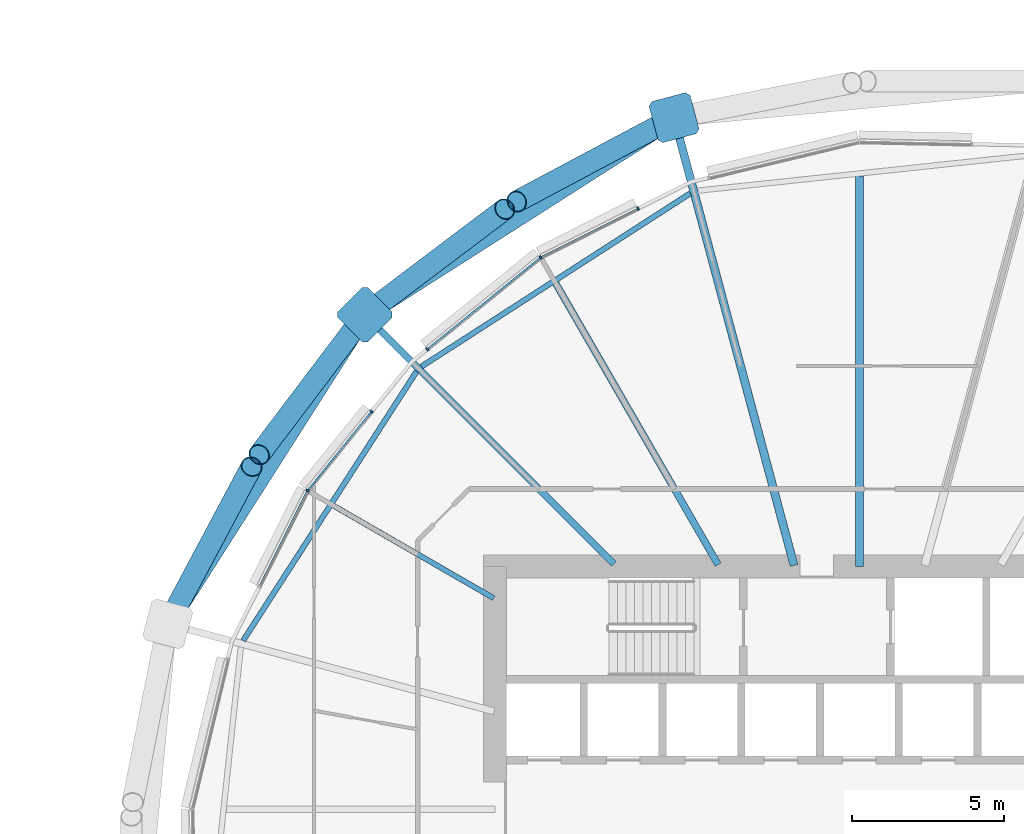
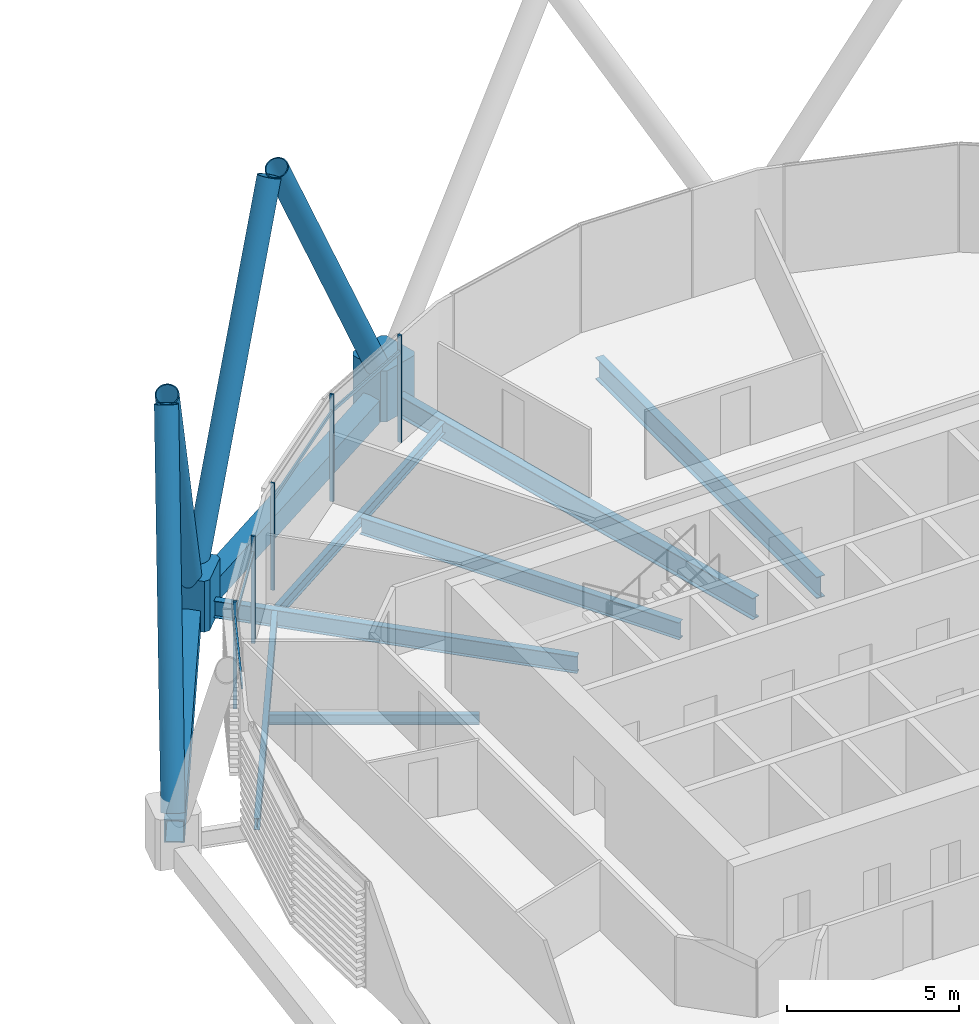
# One storey, part 19 of 38: 15 members, 9 beams, 1 element without a shape of its own.
"""IFC4 building model written with IfcOpenShell, lengths in metres."""

from ifc_helpers import new_model, si_unit, direction, frame, origin, origin_2d, place, context, subcontext, project, spatial, polyline, rectangle, hollow_rectangle, hollow_circle, i_section, outline, extrude, material, material_profile, profile_set, type_object, element, aggregate, save


model = new_model("IFC4")

# Units and contexts
model_context = context("Model", 3, precision=1e-05, world=origin(), true_north=direction((0.0, 1.0)))
body_context = subcontext(model_context, "Body", "Model", "MODEL_VIEW")
ifc_project = project(units=[si_unit("LENGTHUNIT", "METRE"), si_unit("AREAUNIT", "SQUARE_METRE"), si_unit("VOLUMEUNIT", "CUBIC_METRE"), si_unit("PLANEANGLEUNIT", "RADIAN"), si_unit("MASSUNIT", "GRAM", prefix="KILO")], contexts=[model_context])

# Site, building, storey
site_placement = place(None, origin())
site = spatial("IfcSite", under=ifc_project, at=site_placement, CompositionType="ELEMENT")
building_placement = place(site_placement, origin())
building = spatial("IfcBuilding", under=site, at=building_placement, Name="Rimbun Link Towers", CompositionType="ELEMENT")
storey_placement = place(building_placement, frame((0.0, 0.0, 104.39990234375)))
storey = spatial("IfcBuildingStorey", under=building, at=storey_placement, Name="L25", CompositionType="ELEMENT", Elevation=104.39990234375)

# Curtain wall, members
ifc_material_1 = material(Name="Aluminium 6063-T6 and low-iron glass", Category="aluminium")
curtain_wall_type = type_object("IfcCurtainWallType", Name="CW1-Z2 unitised vision wall (zone 2)", PredefinedType="NOTDEFINED", material=ifc_material_1)
curtain_wall_placement = place(storey_placement, origin())
curtain_wall = element("IfcCurtainWall", 1, at=curtain_wall_placement, inside=storey, type_object=curtain_wall_type, Name="CW1 L25 T2", PredefinedType="NOTDEFINED")
ifc_material_2 = material(Name="Aluminium 6063-T6", Category="aluminium")
ifc_material_profile_1 = material_profile(ifc_material_2, rectangle(XDim=0.1201171875, YDim=0.06005859375, at=origin_2d()), Name="MULLION 60X120")
ifc_profile_set_1 = profile_set([ifc_material_profile_1], Name="Aluminium 6063-T6")
member_type_1 = type_object("IfcMemberType", Name="CW1 mullion 60X120", PredefinedType="MULLION", material=ifc_profile_set_1)
member_1_placement = place(storey_placement, frame((21.251953125, 18.177001953125, 0.0), z_axis=(0.0, 0.0, 1.0), x_axis=(-0.542101055095, 0.840313302325, 0.0)))
member_1 = element("IfcMember", 2, at=member_1_placement, type_object=member_type_1, Name="CW1 mullion", PredefinedType="MULLION", context=body_context, shape_type="SweptSolid", body=[
    extrude(rectangle(XDim=0.1201171875, YDim=0.06005859375, at=origin_2d()), origin(), (0.0, 0.0, 1.0), 3.800048828125),
])
member_2_placement = place(storey_placement, frame((24.458251953125, 19.78759765625, 0.0), z_axis=(0.0, 0.0, 1.0), x_axis=(-0.448789312905, 0.893637595797, 0.0)))
member_2 = element("IfcMember", 3, at=member_2_placement, type_object=member_type_1, Name="CW1 mullion", PredefinedType="MULLION", context=body_context, shape_type="SweptSolid", body=[
    extrude(rectangle(XDim=0.1201171875, YDim=0.06005859375, at=origin_2d()), origin(), (0.0, 0.0, 1.0), 3.800048828125),
])
member_3_placement = place(storey_placement, frame((17.51806640625, 15.155029296875, 0.0), z_axis=(0.0, 0.0, 1.0), x_axis=(-0.629151225693, 0.777282918383, 0.0)))
member_3 = element("IfcMember", 4, at=member_3_placement, type_object=member_type_1, Name="CW1 mullion", PredefinedType="MULLION", context=body_context, shape_type="SweptSolid", body=[
    extrude(rectangle(XDim=0.1201171875, YDim=0.06005859375, at=origin_2d()), origin(), (0.0, 0.0, 1.0), 3.800048828125),
])
member_4_placement = place(storey_placement, frame((13.572998046875, 10.498046875, 0.0), z_axis=(0.0, 0.0, 1.0), x_axis=(-0.840313302325, 0.542101055095, 0.0)))
member_4 = element("IfcMember", 5, at=member_4_placement, type_object=member_type_1, Name="CW1 mullion", PredefinedType="MULLION", context=body_context, shape_type="SweptSolid", body=[
    extrude(rectangle(XDim=0.1201171875, YDim=0.06005859375, at=origin_2d()), origin(), (0.0, 0.0, 1.0), 3.800048828125),
])
member_5_placement = place(storey_placement, frame((15.682861328125, 13.104736328125, 0.0), z_axis=(0.0, 0.0, 1.0), x_axis=(-0.777282918383, 0.629151225693, 0.0)))
member_5 = element("IfcMember", 6, at=member_5_placement, type_object=member_type_1, Name="CW1 mullion", PredefinedType="MULLION", context=body_context, shape_type="SweptSolid", body=[
    extrude(rectangle(XDim=0.1201171875, YDim=0.06005859375, at=origin_2d()), origin(), (0.0, 0.0, 1.0), 3.800048828125),
])
ifc_material_3 = material(Name="Aluminium 6063-T6", Category="aluminium")
ifc_material_profile_2 = material_profile(ifc_material_3, rectangle(XDim=0.06005859375, YDim=0.1201171875, at=origin_2d()), Name="TRANSOM 60X120")
ifc_profile_set_2 = profile_set([ifc_material_profile_2], Name="Aluminium 6063-T6")
member_type_2 = type_object("IfcMemberType", Name="CW1 transom 60X120", PredefinedType="USERDEFINED", material=ifc_profile_set_2)
member_6_placement = place(storey_placement, frame((21.285400390625, 18.19189453125, 3.2001953125), z_axis=(0.893649359274, 0.448765888486, 0.0), x_axis=(-0.448765888486, 0.893649359274, 0.0)))
member_6 = element("IfcMember", 7, at=member_6_placement, type_object=member_type_2, Name="CW1 transom", ObjectType="TRANSOM", PredefinedType="USERDEFINED", context=body_context, shape_type="SweptSolid", body=[
    extrude(rectangle(XDim=0.06005859375, YDim=0.1201171875, at=origin_2d()), origin(), (0.0, 0.0, 1.0), 3.521484375),
])
member_7_placement = place(storey_placement, frame((17.542724609375, 15.17236328125, 3.2001953125), z_axis=(0.777301277358, 0.629128543477, 0.0), x_axis=(-0.629128543477, 0.777301277358, 0.0)))
member_7 = element("IfcMember", 8, at=member_7_placement, type_object=member_type_2, Name="CW1 transom", ObjectType="TRANSOM", PredefinedType="USERDEFINED", context=body_context, shape_type="SweptSolid", body=[
    extrude(rectangle(XDim=0.06005859375, YDim=0.1201171875, at=origin_2d()), origin(), (0.0, 0.0, 1.0), 4.737060546875),
])
member_8_placement = place(storey_placement, frame((13.597412109375, 10.525146484375, 3.2001953125), z_axis=(0.629131994788, 0.777298483939, 0.0), x_axis=(-0.777298483939, 0.629131994788, 0.0)))
member_8 = element("IfcMember", 9, at=member_8_placement, type_object=member_type_2, Name="CW1 transom", ObjectType="TRANSOM", PredefinedType="USERDEFINED", context=body_context, shape_type="SweptSolid", body=[
    extrude(rectangle(XDim=0.06005859375, YDim=0.1201171875, at=origin_2d()), origin(), (0.0, 0.0, 1.0), 3.287353515625),
])
member_9_placement = place(storey_placement, frame((12.000244140625, 7.3623046875, 3.2001953125), z_axis=(0.448760132623, 0.893652249686, 0.0), x_axis=(-0.893652249686, 0.448760132623, 0.0)))
member_9 = element("IfcMember", 10, at=member_9_placement, type_object=member_type_2, Name="CW1 transom", ObjectType="TRANSOM", PredefinedType="USERDEFINED", context=body_context, shape_type="SweptSolid", body=[
    extrude(rectangle(XDim=0.06005859375, YDim=0.1201171875, at=origin_2d()), origin(), (0.0, 0.0, 1.0), 3.471435546875),
])
aggregate(curtain_wall, [member_1, member_2, member_3, member_4, member_5, member_6, member_7, member_8, member_9])

# Members
ifc_material_4 = material(Name="Steel S460NH", Category="steel")
ifc_material_profile_3 = material_profile(ifc_material_4, hollow_circle(Radius=0.355712890625, WallThickness=0.031982421875, at=origin_2d()), Name="Diagrid diagonal CHS 711x32")
ifc_profile_set_3 = profile_set([ifc_material_profile_3], Name="Steel S460NH")
member_type_3 = type_object("IfcMemberType", Name="Diagrid diagonal CHS 711x32", PredefinedType="BRACE", material=ifc_profile_set_3)
member_10_placement = place(storey_placement, frame((25.43701171875, 22.67138671875, 0.44091796875), z_axis=(-0.416807853406, -0.222080658162, 0.881448463955), x_axis=(0.470230700253, -0.88254353351, 0.0)))
element("IfcMember", 11, at=member_10_placement, inside=storey, type_object=member_type_3, Name="Diagrid diagonal T2 L25-L28 04b", PredefinedType="BRACE", context=body_context, shape_type="SweptSolid", body=[
    extrude(hollow_circle(Radius=0.355712890625, WallThickness=0.031982421875, at=origin_2d()), origin(), (0.0, 0.0, 1.0), 11.933349609375),
])
for number, where, z_axis, x_axis, name in (
    (12, (15.645751953125, 16.430908203125, 0.4423828125), (0.372098215507, 0.280901699894, 0.884667820717), (-0.602506463828, 0.798114002537, 0.0), "Diagrid diagonal T2 L25-L28 06a"),
    (13, (15.319091796875, 16.104248046875, 0.4423828125), (-0.280901699894, -0.372098215507, 0.884667820717), (0.798114002537, -0.602506463828, 0.0), "Diagrid diagonal T2 L25-L28 06b"),
):
    element("IfcMember", number, at=place(storey_placement, frame(where, z_axis=z_axis, x_axis=x_axis)), inside=storey, type_object=member_type_3, Name=name, PredefinedType="BRACE", context=body_context, shape_type="SweptSolid", body=[
        extrude(hollow_circle(Radius=0.355712890625, WallThickness=0.031982421875, at=origin_2d()), origin(), (0.0, 0.0, 1.0), 11.88623046875),
    ])
member_11_placement = place(storey_placement, frame((9.07861328125, 6.31298828125, 0.44091796875), z_axis=(0.222080658162, 0.416807853406, 0.881448463955), x_axis=(-0.88254353351, 0.470230700253, 0.0)))
element("IfcMember", 14, at=member_11_placement, inside=storey, type_object=member_type_3, Name="Diagrid diagonal T2 L25-L28 08a", PredefinedType="BRACE", context=body_context, shape_type="SweptSolid", body=[
    extrude(hollow_circle(Radius=0.355712890625, WallThickness=0.031982421875, at=origin_2d()), origin(), (0.0, 0.0, 1.0), 11.933349609375),
])
ifc_material_5 = material(Name="Cast steel G20Mn5+QT, Rp0.2 300 MPa", Category="steel")
ifc_material_profile_4 = material_profile(ifc_material_5, outline(polyline([(0.699951171875, -0.570068359375), (0.699951171875, 0.570068359375), (0.570068359375, 0.699951171875), (-0.570068359375, 0.699951171875), (-0.699951171875, 0.570068359375), (-0.699951171875, -0.570068359375), (-0.570068359375, -0.699951171875), (0.570068359375, -0.699951171875), (0.699951171875, -0.570068359375)])), Name="NODE 1400x1400")
ifc_profile_set_4 = profile_set([ifc_material_profile_4], Name="Cast steel G20Mn5+QT, Rp0.2 300 MPa")
member_type_4 = type_object("IfcMemberType", Name="Diagrid node cast 1400", PredefinedType="USERDEFINED", material=ifc_profile_set_4)
for number, where, z_axis, x_axis, name in (
    (15, (25.6455078125, 22.7822265625, -0.89990234375), (0.0, 0.0, 1.0), (-0.258819045103, 0.965925826289, 0.0), "Diagrid node L25 04"),
    (16, (15.459716796875, 16.290283203125, -0.89990234375), (0.0, 0.0, 1.0), (-0.707106781187, 0.707106781187, 0.0), "Diagrid node L25 06"),
):
    element("IfcMember", number, at=place(storey_placement, frame(where, z_axis=z_axis, x_axis=x_axis)), inside=storey, type_object=member_type_4, Name=name, ObjectType="Diagrid node", PredefinedType="USERDEFINED", context=body_context, shape_type="SweptSolid", body=[
        extrude(outline(polyline([(0.699951171875, -0.570068359375), (0.699951171875, 0.570068359375), (0.570068359375, 0.699951171875), (-0.570068359375, 0.699951171875), (-0.699951171875, 0.570068359375), (-0.699951171875, -0.570068359375), (-0.570068359375, -0.699951171875), (0.570068359375, -0.699951171875), (0.699951171875, -0.570068359375)])), origin(), (0.0, 0.0, 1.0), 1.800048828125),
    ])

# Beams
ifc_material_6 = material(Name="Steel S355J2", Category="steel")
ifc_material_profile_5 = material_profile(ifc_material_6, hollow_rectangle(XDim=0.60009765625, YDim=0.800048828125, WallThickness=0.0400390625, at=origin_2d()), Name="Exoskeleton ring girder BOX 600x800x40")
ifc_profile_set_5 = profile_set([ifc_material_profile_5], Name="Steel S355J2")
beam_type_1 = type_object("IfcBeamType", Name="Exoskeleton ring girder BOX 600x800x40", PredefinedType="BEAM", material=ifc_profile_set_5)
for number, where, z_axis, x_axis, name in (
    (17, (25.05517578125, 22.406005859375, -0.559814453125), (-0.843287556943, -0.537462646428, 0.0), (0.537462646428, -0.843287556943, 0.0), "Exoskeleton ring girder L25 02"),
    (18, (15.08349609375, 15.7001953125, -0.559814453125), (-0.537462646428, -0.843287556943, 0.0), (0.843287556943, -0.537462646428, 0.0), "Exoskeleton ring girder L25 03"),
):
    element("IfcBeam", number, at=place(storey_placement, frame(where, z_axis=z_axis, x_axis=x_axis)), inside=storey, type_object=beam_type_1, Name=name, PredefinedType="BEAM", context=body_context, shape_type="SweptSolid", body=[
        extrude(hollow_rectangle(XDim=0.60009765625, YDim=0.800048828125, WallThickness=0.0400390625, at=origin_2d()), origin(), (0.0, 0.0, 1.0), 10.678955078125),
    ])
ifc_material_7 = material(Name="Steel S355J2", Category="steel")
ifc_material_profile_6 = material_profile(ifc_material_7, i_section(OverallWidth=0.17138671875, OverallDepth=0.35498046875, WebThickness=0.00732421875, FlangeThickness=0.011474609375, at=origin_2d()), Name="UB 356x171x51")
ifc_profile_set_6 = profile_set([ifc_material_profile_6], Name="Steel S355J2")
beam_type_2 = type_object("IfcBeamType", Name="UB 356x171x51", PredefinedType="BEAM", material=ifc_profile_set_6)
beam_1_placement = place(storey_placement, frame((19.706298828125, 6.95361328125, -0.33740234375), z_axis=(-0.866034943807, 0.499983475832, 0.0), x_axis=(-0.499983475832, -0.866034943807, 0.0)))
element("IfcBeam", 19, at=beam_1_placement, inside=storey, type_object=beam_type_2, Name="Radial beam T2 L25 07", PredefinedType="BEAM", context=body_context, shape_type="SweptSolid", body=[
    extrude(i_section(OverallWidth=0.17138671875, OverallDepth=0.35498046875, WebThickness=0.00732421875, FlangeThickness=0.011474609375, at=origin_2d()), origin(), (0.0, 0.0, 1.0), 6.099365234375),
])
ifc_material_8 = material(Name="Steel S355J2", Category="steel")
ifc_material_profile_7 = material_profile(ifc_material_8, i_section(OverallWidth=0.177978515625, OverallDepth=0.406494140625, WebThickness=0.0078125, FlangeThickness=0.0126953125, at=origin_2d()), Name="UB 406x178x60")
ifc_profile_set_7 = profile_set([ifc_material_profile_7], Name="Steel S355J2")
beam_type_3 = type_object("IfcBeamType", Name="UB 406x178x60", PredefinedType="BEAM", material=ifc_profile_set_7)
beam_2_placement = place(storey_placement, frame((26.17529296875, 20.285888671875, -0.363037109375), z_axis=(-0.840633929531, -0.541603726465, 0.0), x_axis=(0.541603726465, -0.840633929531, 0.0)))
element("IfcBeam", 20, at=beam_2_placement, inside=storey, type_object=beam_type_3, Name="Edge beam T2 L25 04-06", PredefinedType="BEAM", context=body_context, shape_type="SweptSolid", body=[
    extrude(i_section(OverallWidth=0.177978515625, OverallDepth=0.406494140625, WebThickness=0.0078125, FlangeThickness=0.0126953125, at=origin_2d()), origin(), (0.0, 0.0, 1.0), 10.525634765625),
])
beam_3_placement = place(storey_placement, frame((17.164794921875, 14.4228515625, -0.363037109375), z_axis=(-0.541607916194, -0.840631230157, 0.0), x_axis=(0.840631230157, -0.541607916194, 0.0)))
element("IfcBeam", 21, at=beam_3_placement, inside=storey, type_object=beam_type_3, Name="Edge beam T2 L25 06-08", PredefinedType="BEAM", context=body_context, shape_type="SweptSolid", body=[
    extrude(i_section(OverallWidth=0.177978515625, OverallDepth=0.406494140625, WebThickness=0.0078125, FlangeThickness=0.0126953125, at=origin_2d()), origin(), (0.0, 0.0, 1.0), 10.546142578125),
])
ifc_material_9 = material(Name="Steel S355J2", Category="steel")
ifc_material_profile_8 = material_profile(ifc_material_9, i_section(OverallWidth=0.2275390625, OverallDepth=0.6025390625, WebThickness=0.010498046875, FlangeThickness=0.014892578125, at=origin_2d()), Name="UB 610x229x101")
ifc_profile_set_8 = profile_set([ifc_material_profile_8], Name="Steel S355J2")
beam_type_4 = type_object("IfcBeamType", Name="UB 610x229x101", PredefinedType="BEAM", material=ifc_profile_set_8)
beam_4_placement = place(storey_placement, frame((27.097900390625, 8.057861328125, -0.461181640625), z_axis=(-0.500010763282, 0.866019189511, 0.0), x_axis=(-0.866019189511, -0.500010763282, 0.0)))
element("IfcBeam", 22, at=beam_4_placement, inside=storey, type_object=beam_type_4, Name="Radial beam T2 L25 05", PredefinedType="BEAM", context=body_context, shape_type="SweptSolid", body=[
    extrude(i_section(OverallWidth=0.2275390625, OverallDepth=0.6025390625, WebThickness=0.010498046875, FlangeThickness=0.014892578125, at=origin_2d()), origin(), (0.0, 0.0, 1.0), 10.701904296875),
])
beam_5_placement = place(storey_placement, frame((23.668701171875, 8.081298828125, -0.461181640625), z_axis=(-0.707106781187, 0.707106781187, 0.0), x_axis=(-0.707106781187, -0.707106781187, 0.0)))
element("IfcBeam", 23, at=beam_5_placement, inside=storey, type_object=beam_type_4, Name="Radial beam T2 L25 06", PredefinedType="BEAM", context=body_context, shape_type="SweptSolid", body=[
    extrude(i_section(OverallWidth=0.2275390625, OverallDepth=0.6025390625, WebThickness=0.010498046875, FlangeThickness=0.014892578125, at=origin_2d()), origin(), (0.0, 0.0, 1.0), 11.109375),
])
ifc_material_10 = material(Name="Steel S355J2", Category="steel")
ifc_material_profile_9 = material_profile(ifc_material_10, i_section(OverallWidth=0.2666015625, OverallDepth=0.76220703125, WebThickness=0.014404296875, FlangeThickness=0.021484375, at=origin_2d()), Name="UB 762x267x173")
ifc_profile_set_9 = profile_set([ifc_material_profile_9], Name="Steel S355J2")
beam_type_5 = type_object("IfcBeamType", Name="UB 762x267x173", PredefinedType="BEAM", material=ifc_profile_set_9)
beam_6_placement = place(storey_placement, frame((31.75, 8.0009765625, -0.541015625), z_axis=(0.0, 1.0, 0.0), x_axis=(-1.0, 0.0, 0.0)))
element("IfcBeam", 24, at=beam_6_placement, inside=storey, type_object=beam_type_5, Name="Radial beam T2 L25 03", PredefinedType="BEAM", context=body_context, shape_type="SweptSolid", body=[
    extrude(i_section(OverallWidth=0.2666015625, OverallDepth=0.76220703125, WebThickness=0.014404296875, FlangeThickness=0.021484375, at=origin_2d()), origin(), (0.0, 0.0, 1.0), 12.8515625),
])
beam_7_placement = place(storey_placement, frame((29.596923828125, 8.035400390625, -0.541015625), z_axis=(-0.258820100687, 0.965925543445, 0.0), x_axis=(-0.965925543445, -0.258820100687, 0.0)))
element("IfcBeam", 25, at=beam_7_placement, inside=storey, type_object=beam_type_5, Name="Radial beam T2 L25 04", PredefinedType="BEAM", context=body_context, shape_type="SweptSolid", body=[
    extrude(i_section(OverallWidth=0.2666015625, OverallDepth=0.76220703125, WebThickness=0.014404296875, FlangeThickness=0.021484375, at=origin_2d()), origin(), (0.0, 0.0, 1.0), 14.76708984375),
])

save(model, "model.ifc")
